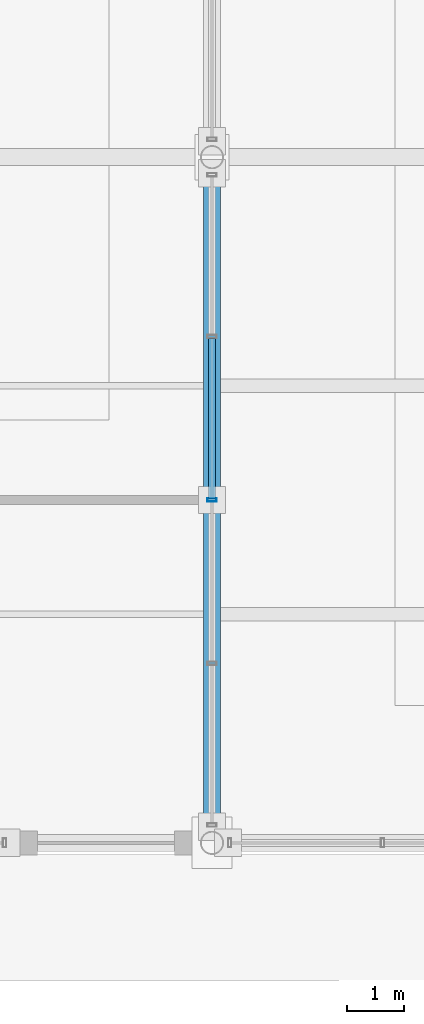
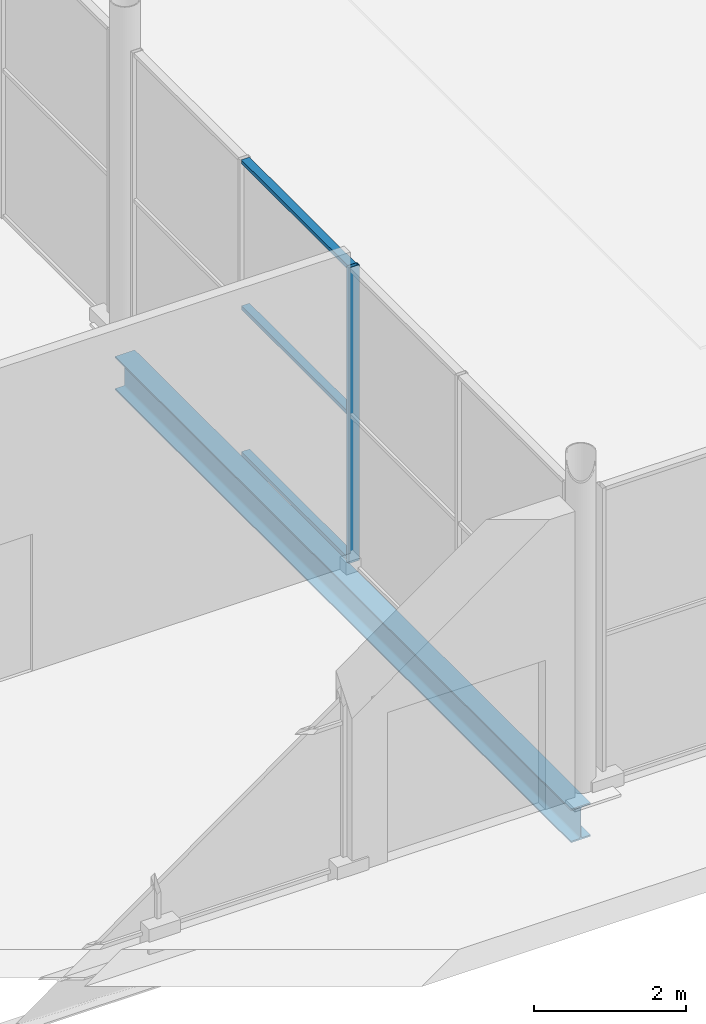
# One storey, part 62 of 196: 4 members, 1 beam, 1 element without a shape of its own.
"""IFC4 building model written with IfcOpenShell, lengths in metres."""

from ifc_helpers import new_model, si_unit, direction, frame, origin, origin_2d, place, context, subcontext, project, spatial, hollow_rectangle, i_section, extrude, material, material_profile, profile_set, type_object, element, aggregate, save


model = new_model("IFC4")

# Units and contexts
model_context = context("Model", 3, precision=1e-05, world=origin(), true_north=direction((0.0, 1.0)))
body_context = subcontext(model_context, "Body", "Model", "MODEL_VIEW")
ifc_project = project(units=[si_unit("LENGTHUNIT", "METRE"), si_unit("AREAUNIT", "SQUARE_METRE"), si_unit("VOLUMEUNIT", "CUBIC_METRE"), si_unit("PLANEANGLEUNIT", "RADIAN"), si_unit("MASSUNIT", "GRAM", prefix="KILO")], contexts=[model_context])

# Site, building, storey
site_placement = place(None, origin())
site = spatial("IfcSite", under=ifc_project, at=site_placement, CompositionType="ELEMENT")
building_placement = place(site_placement, origin())
building = spatial("IfcBuilding", under=site, at=building_placement, Name="Merenkruunu Market Hall", CompositionType="ELEMENT")
storey_placement = place(building_placement, origin())
storey = spatial("IfcBuildingStorey", under=building, at=storey_placement, Name="L00", CompositionType="ELEMENT", Elevation=0.0)

# Curtain wall, members
ifc_material_1 = material(Name="Powder-coated aluminium", Category="aluminium")
curtain_wall_type = type_object("IfcCurtainWallType", Name="Glazed Curtain Wall CW05", PredefinedType="USERDEFINED", material=ifc_material_1)
curtain_wall_placement = place(storey_placement, origin())
curtain_wall = element("IfcCurtainWall", 1, at=curtain_wall_placement, inside=storey, type_object=curtain_wall_type, Name="CW-L00-CWM01-151", ObjectType="GLAZED_FACADE", PredefinedType="USERDEFINED")
ifc_material_profile_1 = material_profile(ifc_material_1, hollow_rectangle(XDim=0.06005859375, YDim=0.159912109375, WallThickness=0.00390625, at=origin_2d()), Name="ALU 60x160x4")
ifc_profile_set_1 = profile_set([ifc_material_profile_1], Name="Powder-coated aluminium")
member_type_1 = type_object("IfcMemberType", Name="Curtain Wall Mullion CWM01", PredefinedType="MULLION", material=ifc_profile_set_1)
member_1_placement = place(storey_placement, frame((76.800048828125, 21.60009765625, 0.0), z_axis=(0.0, 0.0, 1.0), x_axis=(0.0, 1.0, 0.0)))
member_1 = element("IfcMember", 2, at=member_1_placement, type_object=member_type_1, Name="CW05 mullion 3", PredefinedType="MULLION", context=body_context, shape_type="SweptSolid", body=[
    extrude(hollow_rectangle(XDim=0.06005859375, YDim=0.159912109375, WallThickness=0.00390625, at=origin_2d()), origin(), (0.0, 0.0, 1.0), 4.75),
])
ifc_material_profile_2 = material_profile(ifc_material_1, hollow_rectangle(XDim=0.06005859375, YDim=0.125, WallThickness=0.00390625, at=origin_2d()), Name="ALU 60x125x4")
ifc_profile_set_2 = profile_set([ifc_material_profile_2], Name="Powder-coated aluminium")
member_type_2 = type_object("IfcMemberType", Name="Curtain Wall Transom CWT01", PredefinedType="USERDEFINED", material=ifc_profile_set_2)
member_2_placement = place(storey_placement, frame((76.800048828125, 21.6298828125, 0.030029296875), z_axis=(0.0, 1.0, 0.0), x_axis=(0.0, 0.0, 1.0)))
member_2 = element("IfcMember", 3, at=member_2_placement, type_object=member_type_2, Name="CW05 transom 3.1", ObjectType="TRANSOM", PredefinedType="USERDEFINED", context=body_context, shape_type="SweptSolid", body=[
    extrude(hollow_rectangle(XDim=0.06005859375, YDim=0.125, WallThickness=0.00390625, at=origin_2d()), origin(), (0.0, 0.0, 1.0), 2.800048828125),
])
member_3_placement = place(storey_placement, frame((76.800048828125, 21.6298828125, 2.375), z_axis=(0.0, 1.0, 0.0), x_axis=(0.0, 0.0, 1.0)))
member_3 = element("IfcMember", 4, at=member_3_placement, type_object=member_type_2, Name="CW05 transom 3.2", ObjectType="TRANSOM", PredefinedType="USERDEFINED", context=body_context, shape_type="SweptSolid", body=[
    extrude(hollow_rectangle(XDim=0.06005859375, YDim=0.125, WallThickness=0.00390625, at=origin_2d()), origin(), (0.0, 0.0, 1.0), 2.800048828125),
])
member_4_placement = place(storey_placement, frame((76.800048828125, 21.6298828125, 4.719970703125), z_axis=(0.0, 1.0, 0.0), x_axis=(0.0, 0.0, 1.0)))
member_4 = element("IfcMember", 5, at=member_4_placement, type_object=member_type_2, Name="CW05 transom 3.3", ObjectType="TRANSOM", PredefinedType="USERDEFINED", context=body_context, shape_type="SweptSolid", body=[
    extrude(hollow_rectangle(XDim=0.06005859375, YDim=0.125, WallThickness=0.00390625, at=origin_2d()), origin(), (0.0, 0.0, 1.0), 2.800048828125),
])
aggregate(curtain_wall, [member_1, member_2, member_3, member_4])

# Beam
ifc_material_2 = material(Name="Steel S355J2", Category="steel")
ifc_material_profile_3 = material_profile(ifc_material_2, i_section(OverallWidth=0.300048828125, OverallDepth=0.5400390625, WebThickness=0.012451171875, FlangeThickness=0.02392578125, FilletRadius=0.027099609375, at=origin_2d()), Name="HEA 550")
ifc_profile_set_3 = profile_set([ifc_material_profile_3], Name="Steel S355J2")
beam_type = type_object("IfcBeamType", Name="Primary Floor Girder B06", PredefinedType="BEAM", material=ifc_profile_set_3)
beam_placement = place(storey_placement, frame((76.800048828125, 15.60009765625, -0.570068359375), z_axis=(0.0, 1.0, 0.0), x_axis=(-1.0, 0.0, 0.0)))
element("IfcBeam", 6, at=beam_placement, inside=storey, type_object=beam_type, Name="BM-L00-B06-0203", PredefinedType="BEAM", context=body_context, shape_type="SweptSolid", body=[
    extrude(i_section(OverallWidth=0.300048828125, OverallDepth=0.5400390625, WebThickness=0.012451171875, FlangeThickness=0.02392578125, FilletRadius=0.027099609375, at=origin_2d()), origin(), (0.0, 0.0, 1.0), 12.0),
])

save(model, "model.ifc")
